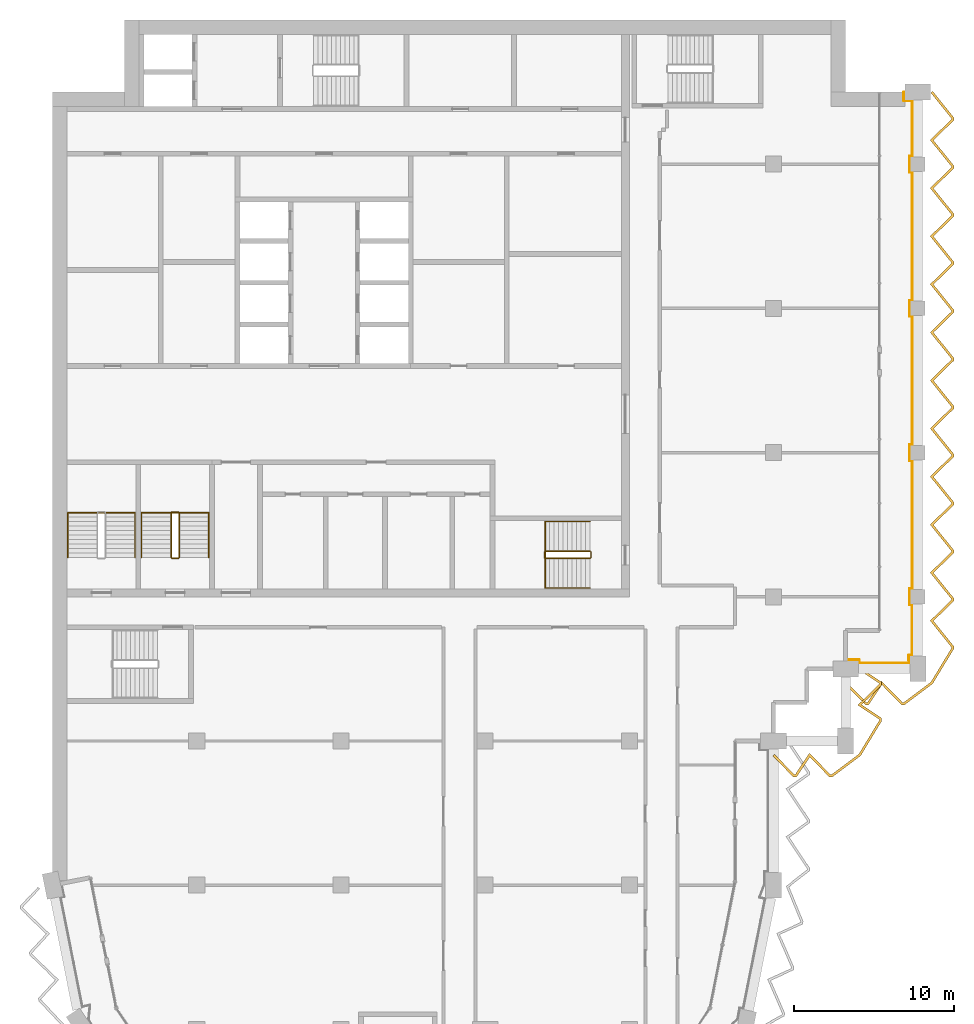
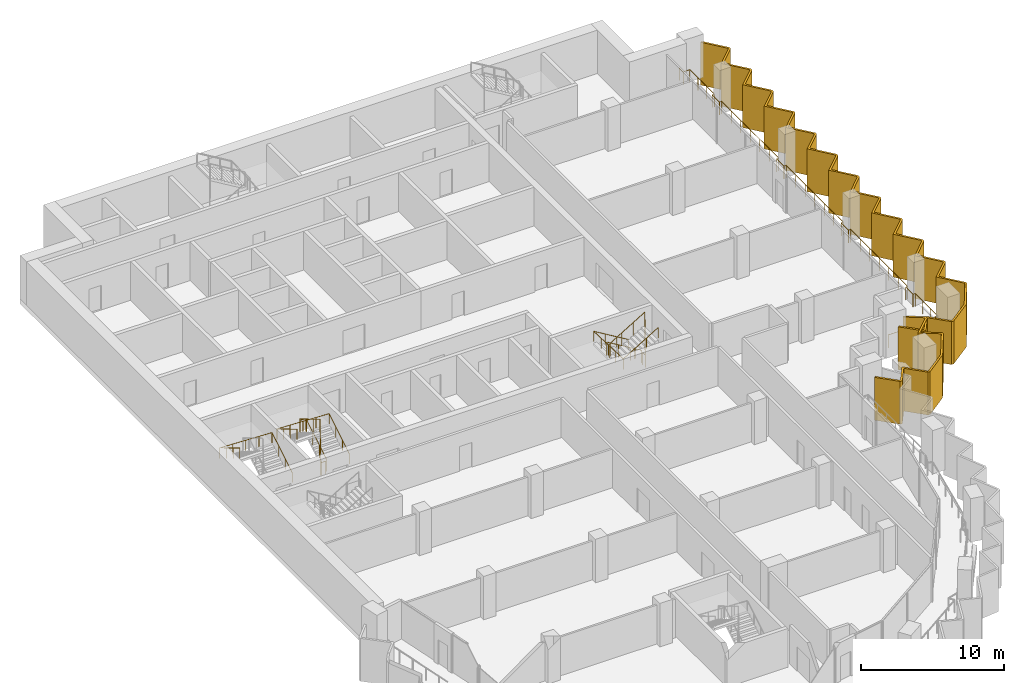
# One storey, part 15 of 16: 6 railings, 2 shading devices.
"""IFC4 building model written with IfcOpenShell, lengths in metres."""

from ifc_helpers import new_model, si_unit, direction, frame, origin, origin_2d, place, context, subcontext, project, spatial, polyline, circle, outline, extrude, material, layer, layer_set, type_object, element, save


model = new_model("IFC4")

# Units and contexts
model_context = context("Model", 3, precision=1e-05, world=origin(), true_north=direction((0.0, 1.0)))
body_context = subcontext(model_context, "Body", "Model", "MODEL_VIEW")
ifc_project = project(units=[si_unit("LENGTHUNIT", "METRE"), si_unit("AREAUNIT", "SQUARE_METRE"), si_unit("VOLUMEUNIT", "CUBIC_METRE"), si_unit("PLANEANGLEUNIT", "RADIAN"), si_unit("MASSUNIT", "GRAM", prefix="KILO")], contexts=[model_context])

# Site, building, storey
site_placement = place(None, origin())
site = spatial("IfcSite", under=ifc_project, at=site_placement, CompositionType="ELEMENT")
building_placement = place(site_placement, origin())
building = spatial("IfcBuilding", under=site, at=building_placement, Name="Hunhe Ridgeline Campus", CompositionType="ELEMENT")
storey_placement = place(building_placement, frame((0.0, 0.0, 235.5)))
storey = spatial("IfcBuildingStorey", under=building, at=storey_placement, Name="L60", CompositionType="ELEMENT", Elevation=235.5)

# Railing
ifc_material_1 = material(Name="Steel Q355", Category="steel")
railing_type_1 = type_object("IfcRailingType", Name="Loggia guard 1100 Steel Q355", PredefinedType="GUARDRAIL", material=ifc_material_1)
railing_1_placement = place(storey_placement, frame((49.5, 59.070068359375, 0.0)))
element("IfcRailing", 1, at=railing_1_placement, inside=storey, type_object=railing_type_1, Name="Loggia guard 2", PredefinedType="GUARDRAIL", context=body_context, shape_type="SweptSolid", body=[
    extrude(circle(Radius=0.02392578125, at=origin_2d()), frame((0.0, 0.0, 1.076171875), z_axis=(1.0, 0.0, 0.0), x_axis=(0.0, 1.0, 0.0)), (0.0, 0.0, 1.0), 0.85009765625),
    extrude(circle(Radius=0.02392578125, at=origin_2d()), frame((0.85009765625, 0.0, 1.076171875), z_axis=(0.0, -1.0, 0.0), x_axis=(1.0, 0.0, 0.0)), (0.0, 0.0, 1.0), 0.219970703125),
    extrude(circle(Radius=0.02392578125, at=origin_2d()), frame((0.85009765625, -0.219970703125, 1.076171875), z_axis=(1.0, 0.0, 0.0), x_axis=(0.0, 1.0, 0.0)), (0.0, 0.0, 1.0), 3.099853515625),
    extrude(circle(Radius=0.02392578125, at=origin_2d()), frame((3.949951171875, -0.219970703125, 1.076171875), z_axis=(0.0, 1.0, 0.0), x_axis=(-1.0, 0.0, 0.0)), (0.0, 0.0, 1.0), 0.52001953125),
    extrude(circle(Radius=0.02392578125, at=origin_2d()), frame((3.949951171875, 0.300048828125, 1.076171875), z_axis=(-0.066572895244, -0.99778156408, 0.0), x_axis=(0.99778156408, -0.066572895244, 0.0)), (0.0, 0.0, 1.0), 0.30078125),
    extrude(circle(Radius=0.02392578125, at=origin_2d()), frame((3.929931640625, 0.0, 1.076171875), z_axis=(0.0, 1.0, 0.0), x_axis=(-1.0, 0.0, 0.0)), (0.0, 0.0, 1.0), 0.280029296875),
    extrude(circle(Radius=0.02392578125, at=origin_2d()), frame((3.929931640625, 0.280029296875, 1.076171875), z_axis=(1.0, 0.0, 0.0), x_axis=(0.0, 1.0, 0.0)), (0.0, 0.0, 1.0), 0.219970703125),
    extrude(circle(Radius=0.02392578125, at=origin_2d()), frame((4.14990234375, 0.280029296875, 1.076171875), z_axis=(0.0, 1.0, 0.0), x_axis=(-1.0, 0.0, 0.0)), (0.0, 0.0, 1.0), 3.14990234375),
    extrude(circle(Radius=0.02392578125, at=origin_2d()), frame((4.14990234375, 3.429931640625, 1.076171875), z_axis=(-1.0, 0.0, 0.0), x_axis=(0.0, -1.0, 0.0)), (0.0, 0.0, 1.0), 0.169921875),
    extrude(circle(Radius=0.02392578125, at=origin_2d()), frame((3.97998046875, 3.429931640625, 1.076171875), z_axis=(0.0, 1.0, 0.0), x_axis=(-1.0, 0.0, 0.0)), (0.0, 0.0, 1.0), 1.0),
    extrude(circle(Radius=0.02392578125, at=origin_2d()), frame((3.97998046875, 4.429931640625, 1.076171875), z_axis=(1.0, 0.0, 0.0), x_axis=(0.0, 1.0, 0.0)), (0.0, 0.0, 1.0), 0.169921875),
    extrude(circle(Radius=0.02392578125, at=origin_2d()), frame((4.14990234375, 4.429931640625, 1.076171875), z_axis=(0.0, 1.0, 0.0), x_axis=(-1.0, 0.0, 0.0)), (0.0, 0.0, 1.0), 8.0),
    extrude(circle(Radius=0.02392578125, at=origin_2d()), frame((4.14990234375, 12.429931640625, 1.076171875), z_axis=(-1.0, 0.0, 0.0), x_axis=(0.0, -1.0, 0.0)), (0.0, 0.0, 1.0), 0.169921875),
    extrude(circle(Radius=0.02392578125, at=origin_2d()), frame((3.97998046875, 12.429931640625, 1.076171875), z_axis=(0.0, 1.0, 0.0), x_axis=(-1.0, 0.0, 0.0)), (0.0, 0.0, 1.0), 1.0),
    extrude(circle(Radius=0.02392578125, at=origin_2d()), frame((3.97998046875, 13.429931640625, 1.076171875), z_axis=(1.0, 0.0, 0.0), x_axis=(0.0, 1.0, 0.0)), (0.0, 0.0, 1.0), 0.169921875),
    extrude(circle(Radius=0.02392578125, at=origin_2d()), frame((4.14990234375, 13.429931640625, 1.076171875), z_axis=(0.0, 1.0, 0.0), x_axis=(-1.0, 0.0, 0.0)), (0.0, 0.0, 1.0), 8.0),
    extrude(circle(Radius=0.02392578125, at=origin_2d()), frame((4.14990234375, 21.429931640625, 1.076171875), z_axis=(-1.0, 0.0, 0.0), x_axis=(0.0, -1.0, 0.0)), (0.0, 0.0, 1.0), 0.169921875),
    extrude(circle(Radius=0.02392578125, at=origin_2d()), frame((3.97998046875, 21.429931640625, 1.076171875), z_axis=(0.0, 1.0, 0.0), x_axis=(-1.0, 0.0, 0.0)), (0.0, 0.0, 1.0), 1.0),
    extrude(circle(Radius=0.02392578125, at=origin_2d()), frame((3.97998046875, 22.429931640625, 1.076171875), z_axis=(1.0, 0.0, 0.0), x_axis=(0.0, 1.0, 0.0)), (0.0, 0.0, 1.0), 0.169921875),
    extrude(circle(Radius=0.02392578125, at=origin_2d()), frame((4.14990234375, 22.429931640625, 1.076171875), z_axis=(0.0, 1.0, 0.0), x_axis=(-1.0, 0.0, 0.0)), (0.0, 0.0, 1.0), 8.0),
    extrude(circle(Radius=0.02392578125, at=origin_2d()), frame((4.14990234375, 30.429931640625, 1.076171875), z_axis=(-1.0, 0.0, 0.0), x_axis=(0.0, -1.0, 0.0)), (0.0, 0.0, 1.0), 0.169921875),
    extrude(circle(Radius=0.02392578125, at=origin_2d()), frame((3.97998046875, 30.429931640625, 1.076171875), z_axis=(0.0, 1.0, 0.0), x_axis=(-1.0, 0.0, 0.0)), (0.0, 0.0, 1.0), 1.0),
    extrude(circle(Radius=0.02392578125, at=origin_2d()), frame((3.97998046875, 31.429931640625, 1.076171875), z_axis=(1.0, 0.0, 0.0), x_axis=(0.0, 1.0, 0.0)), (0.0, 0.0, 1.0), 0.169921875),
    extrude(circle(Radius=0.02392578125, at=origin_2d()), frame((4.14990234375, 31.429931640625, 1.076171875), z_axis=(0.0, 1.0, 0.0), x_axis=(-1.0, 0.0, 0.0)), (0.0, 0.0, 1.0), 3.449951171875),
    extrude(circle(Radius=0.02392578125, at=origin_2d()), frame((4.14990234375, 34.8798828125, 1.076171875), z_axis=(-1.0, 0.0, 0.0), x_axis=(0.0, -1.0, 0.0)), (0.0, 0.0, 1.0), 0.52001953125),
    extrude(circle(Radius=0.02392578125, at=origin_2d()), frame((3.6298828125, 34.8798828125, 1.076171875), z_axis=(0.0, 1.0, 0.0), x_axis=(-1.0, 0.0, 0.0)), (0.0, 0.0, 1.0), 0.550048828125),
    extrude(circle(Radius=0.02099609375, at=origin_2d()), origin(), (0.0, 0.0, 1.0), 1.052001953125),
    extrude(circle(Radius=0.02099609375, at=origin_2d()), frame((0.85009765625, 0.0, 0.0)), (0.0, 0.0, 1.0), 1.052001953125),
    extrude(circle(Radius=0.02099609375, at=origin_2d()), frame((0.85009765625, -0.219970703125, 0.0)), (0.0, 0.0, 1.0), 1.052001953125),
    extrude(circle(Radius=0.02099609375, at=origin_2d()), frame((1.88330078125, -0.219970703125, 0.0)), (0.0, 0.0, 1.0), 1.052001953125),
    extrude(circle(Radius=0.02099609375, at=origin_2d()), frame((2.916748046875, -0.219970703125, 0.0)), (0.0, 0.0, 1.0), 1.052001953125),
    extrude(circle(Radius=0.02099609375, at=origin_2d()), frame((3.949951171875, -0.219970703125, 0.0)), (0.0, 0.0, 1.0), 1.052001953125),
    extrude(circle(Radius=0.02099609375, at=origin_2d()), frame((3.949951171875, 0.300048828125, 0.0)), (0.0, 0.0, 1.0), 1.052001953125),
    extrude(circle(Radius=0.02099609375, at=origin_2d()), frame((3.929931640625, 0.0, 0.0)), (0.0, 0.0, 1.0), 1.052001953125),
    extrude(circle(Radius=0.02099609375, at=origin_2d()), frame((3.929931640625, 0.280029296875, 0.0)), (0.0, 0.0, 1.0), 1.052001953125),
    extrude(circle(Radius=0.02099609375, at=origin_2d()), frame((4.14990234375, 0.280029296875, 0.0)), (0.0, 0.0, 1.0), 1.052001953125),
    extrude(circle(Radius=0.02099609375, at=origin_2d()), frame((4.14990234375, 1.330078125, 0.0)), (0.0, 0.0, 1.0), 1.052001953125),
    extrude(circle(Radius=0.02099609375, at=origin_2d()), frame((4.14990234375, 2.3798828125, 0.0)), (0.0, 0.0, 1.0), 1.052001953125),
    extrude(circle(Radius=0.02099609375, at=origin_2d()), frame((4.14990234375, 3.429931640625, 0.0)), (0.0, 0.0, 1.0), 1.052001953125),
    extrude(circle(Radius=0.02099609375, at=origin_2d()), frame((3.97998046875, 3.429931640625, 0.0)), (0.0, 0.0, 1.0), 1.052001953125),
    extrude(circle(Radius=0.02099609375, at=origin_2d()), frame((3.97998046875, 4.429931640625, 0.0)), (0.0, 0.0, 1.0), 1.052001953125),
    extrude(circle(Radius=0.02099609375, at=origin_2d()), frame((4.14990234375, 4.429931640625, 0.0)), (0.0, 0.0, 1.0), 1.052001953125),
    extrude(circle(Radius=0.02099609375, at=origin_2d()), frame((4.14990234375, 5.76318359375, 0.0)), (0.0, 0.0, 1.0), 1.052001953125),
    extrude(circle(Radius=0.02099609375, at=origin_2d()), frame((4.14990234375, 7.0966796875, 0.0)), (0.0, 0.0, 1.0), 1.052001953125),
    extrude(circle(Radius=0.02099609375, at=origin_2d()), frame((4.14990234375, 8.429931640625, 0.0)), (0.0, 0.0, 1.0), 1.052001953125),
    extrude(circle(Radius=0.02099609375, at=origin_2d()), frame((4.14990234375, 9.76318359375, 0.0)), (0.0, 0.0, 1.0), 1.052001953125),
    extrude(circle(Radius=0.02099609375, at=origin_2d()), frame((4.14990234375, 11.0966796875, 0.0)), (0.0, 0.0, 1.0), 1.052001953125),
    extrude(circle(Radius=0.02099609375, at=origin_2d()), frame((4.14990234375, 12.429931640625, 0.0)), (0.0, 0.0, 1.0), 1.052001953125),
    extrude(circle(Radius=0.02099609375, at=origin_2d()), frame((3.97998046875, 12.429931640625, 0.0)), (0.0, 0.0, 1.0), 1.052001953125),
    extrude(circle(Radius=0.02099609375, at=origin_2d()), frame((3.97998046875, 13.429931640625, 0.0)), (0.0, 0.0, 1.0), 1.052001953125),
    extrude(circle(Radius=0.02099609375, at=origin_2d()), frame((4.14990234375, 13.429931640625, 0.0)), (0.0, 0.0, 1.0), 1.052001953125),
    extrude(circle(Radius=0.02099609375, at=origin_2d()), frame((4.14990234375, 14.76318359375, 0.0)), (0.0, 0.0, 1.0), 1.052001953125),
    extrude(circle(Radius=0.02099609375, at=origin_2d()), frame((4.14990234375, 16.0966796875, 0.0)), (0.0, 0.0, 1.0), 1.052001953125),
    extrude(circle(Radius=0.02099609375, at=origin_2d()), frame((4.14990234375, 17.429931640625, 0.0)), (0.0, 0.0, 1.0), 1.052001953125),
    extrude(circle(Radius=0.02099609375, at=origin_2d()), frame((4.14990234375, 18.76318359375, 0.0)), (0.0, 0.0, 1.0), 1.052001953125),
    extrude(circle(Radius=0.02099609375, at=origin_2d()), frame((4.14990234375, 20.0966796875, 0.0)), (0.0, 0.0, 1.0), 1.052001953125),
    extrude(circle(Radius=0.02099609375, at=origin_2d()), frame((4.14990234375, 21.429931640625, 0.0)), (0.0, 0.0, 1.0), 1.052001953125),
    extrude(circle(Radius=0.02099609375, at=origin_2d()), frame((3.97998046875, 21.429931640625, 0.0)), (0.0, 0.0, 1.0), 1.052001953125),
    extrude(circle(Radius=0.02099609375, at=origin_2d()), frame((3.97998046875, 22.429931640625, 0.0)), (0.0, 0.0, 1.0), 1.052001953125),
    extrude(circle(Radius=0.02099609375, at=origin_2d()), frame((4.14990234375, 22.429931640625, 0.0)), (0.0, 0.0, 1.0), 1.052001953125),
    extrude(circle(Radius=0.02099609375, at=origin_2d()), frame((4.14990234375, 23.76318359375, 0.0)), (0.0, 0.0, 1.0), 1.052001953125),
    extrude(circle(Radius=0.02099609375, at=origin_2d()), frame((4.14990234375, 25.0966796875, 0.0)), (0.0, 0.0, 1.0), 1.052001953125),
    extrude(circle(Radius=0.02099609375, at=origin_2d()), frame((4.14990234375, 26.429931640625, 0.0)), (0.0, 0.0, 1.0), 1.052001953125),
    extrude(circle(Radius=0.02099609375, at=origin_2d()), frame((4.14990234375, 27.76318359375, 0.0)), (0.0, 0.0, 1.0), 1.052001953125),
    extrude(circle(Radius=0.02099609375, at=origin_2d()), frame((4.14990234375, 29.0966796875, 0.0)), (0.0, 0.0, 1.0), 1.052001953125),
    extrude(circle(Radius=0.02099609375, at=origin_2d()), frame((4.14990234375, 30.429931640625, 0.0)), (0.0, 0.0, 1.0), 1.052001953125),
    extrude(circle(Radius=0.02099609375, at=origin_2d()), frame((3.97998046875, 30.429931640625, 0.0)), (0.0, 0.0, 1.0), 1.052001953125),
    extrude(circle(Radius=0.02099609375, at=origin_2d()), frame((3.97998046875, 31.429931640625, 0.0)), (0.0, 0.0, 1.0), 1.052001953125),
    extrude(circle(Radius=0.02099609375, at=origin_2d()), frame((4.14990234375, 31.429931640625, 0.0)), (0.0, 0.0, 1.0), 1.052001953125),
    extrude(circle(Radius=0.02099609375, at=origin_2d()), frame((4.14990234375, 32.579833984375, 0.0)), (0.0, 0.0, 1.0), 1.052001953125),
    extrude(circle(Radius=0.02099609375, at=origin_2d()), frame((4.14990234375, 33.72998046875, 0.0)), (0.0, 0.0, 1.0), 1.052001953125),
    extrude(circle(Radius=0.02099609375, at=origin_2d()), frame((4.14990234375, 34.8798828125, 0.0)), (0.0, 0.0, 1.0), 1.052001953125),
    extrude(circle(Radius=0.02099609375, at=origin_2d()), frame((3.6298828125, 34.8798828125, 0.0)), (0.0, 0.0, 1.0), 1.052001953125),
    extrude(circle(Radius=0.02099609375, at=origin_2d()), frame((3.6298828125, 35.429931640625, 0.0)), (0.0, 0.0, 1.0), 1.052001953125),
])

# Shading devices
ifc_material_2 = material(Name="Concrete C50", Category="concrete")
ifc_layer = layer(ifc_material_2, 0.14990234375)
ifc_layer_set = layer_set([ifc_layer], Name="Sawtooth concrete fin 150 Concrete C50")
shading_device_type = type_object("IfcShadingDeviceType", Name="Sawtooth concrete fin 150 Concrete C50", PredefinedType="USERDEFINED", material=ifc_layer_set)
shading_device_1_placement = place(storey_placement, frame((0.0, 0.0, -0.949951171875)))
element("IfcShadingDevice", 2, at=shading_device_1_placement, inside=storey, type_object=shading_device_type, Name="Concrete fin screen 2", ObjectType="FIN", PredefinedType="USERDEFINED", context=body_context, shape_type="SweptSolid", body=[
    extrude(outline(polyline([(45.0537109375, 53.17724609375), (44.9462890625, 53.07275390625), (46.23583984375, 51.75), (46.427734375, 51.75), (47.26123046875, 53.006103515625), (48.48583984375, 51.75), (48.662353515625, 51.75), (50.431640625, 53.07373046875), (51.75, 55.24658203125), (51.75, 55.427734375), (50.493896484375, 56.26123046875), (51.75, 57.48583984375), (51.75, 57.677734375), (50.41650390625, 58.5625), (50.33349609375, 58.4375), (51.60009765625, 57.59716796875), (51.60009765625, 57.549072265625), (50.256103515625, 56.23876953125), (51.60009765625, 55.34716796875), (51.60009765625, 55.28857421875), (50.318359375, 53.17626953125), (48.612548828125, 51.89990234375), (48.549072265625, 51.89990234375), (47.23876953125, 53.243896484375), (46.34716796875, 51.89990234375), (46.299072265625, 51.89990234375), (45.0537109375, 53.17724609375)])), origin(), (0.0, 0.0, 1.0), 3.64990234375),
])
shading_device_2_placement = place(storey_placement, frame((0.0, 0.0, -0.949951171875)))
element("IfcShadingDevice", 3, at=shading_device_2_placement, inside=storey, type_object=shading_device_type, Name="Concrete fin screen 3", ObjectType="FIN", PredefinedType="USERDEFINED", context=body_context, shape_type="SweptSolid", body=[
    extrude(outline(polyline([(49.5537109375, 57.67724609375), (49.4462890625, 57.57275390625), (50.73583984375, 56.25), (50.927734375, 56.25), (51.76123046875, 57.506103515625), (52.98583984375, 56.25), (53.162353515625, 56.25), (54.931640625, 57.57373046875), (56.25, 59.74658203125), (56.25, 59.9140625), (54.976318359375, 61.493896484375), (56.25, 62.73583984375), (56.25, 62.9140625), (54.976318359375, 64.493896484375), (56.25, 65.73583984375), (56.25, 65.9140625), (54.976318359375, 67.493896484375), (56.25, 68.73583984375), (56.25, 68.9140625), (54.976318359375, 70.493896484375), (56.25, 71.73583984375), (56.25, 71.9140625), (54.976318359375, 73.493896484375), (56.25, 74.73583984375), (56.25, 74.9140625), (54.976318359375, 76.493896484375), (56.25, 77.73583984375), (56.25, 77.9140625), (54.976318359375, 79.493896484375), (56.25, 80.73583984375), (56.25, 80.9140625), (54.976318359375, 82.493896484375), (56.25, 83.73583984375), (56.25, 83.9140625), (54.976318359375, 85.493896484375), (56.25, 86.73583984375), (56.25, 86.9140625), (54.976318359375, 88.493896484375), (56.25, 89.73583984375), (56.25, 89.9140625), (54.976318359375, 91.493896484375), (56.25, 92.73583984375), (56.25, 92.9140625), (54.933349609375, 94.547119140625), (54.816650390625, 94.452880859375), (56.10009765625, 92.861083984375), (56.10009765625, 92.799072265625), (54.773681640625, 91.506103515625), (56.10009765625, 89.861083984375), (56.10009765625, 89.799072265625), (54.773681640625, 88.506103515625), (56.10009765625, 86.861083984375), (56.10009765625, 86.799072265625), (54.773681640625, 85.506103515625), (56.10009765625, 83.861083984375), (56.10009765625, 83.799072265625), (54.773681640625, 82.506103515625), (56.10009765625, 80.861083984375), (56.10009765625, 80.799072265625), (54.773681640625, 79.506103515625), (56.10009765625, 77.861083984375), (56.10009765625, 77.799072265625), (54.773681640625, 76.506103515625), (56.10009765625, 74.861083984375), (56.10009765625, 74.799072265625), (54.773681640625, 73.506103515625), (56.10009765625, 71.861083984375), (56.10009765625, 71.799072265625), (54.773681640625, 70.506103515625), (56.10009765625, 68.861083984375), (56.10009765625, 68.799072265625), (54.773681640625, 67.506103515625), (56.10009765625, 65.861083984375), (56.10009765625, 65.799072265625), (54.773681640625, 64.506103515625), (56.10009765625, 62.861083984375), (56.10009765625, 62.799072265625), (54.773681640625, 61.506103515625), (56.10009765625, 59.861083984375), (56.10009765625, 59.78857421875), (54.818359375, 57.67626953125), (53.112548828125, 56.39990234375), (53.049072265625, 56.39990234375), (51.73876953125, 57.743896484375), (50.84716796875, 56.39990234375), (50.799072265625, 56.39990234375), (49.5537109375, 57.67724609375)])), origin(), (0.0, 0.0, 1.0), 3.64990234375),
])

# Railings
ifc_material_3 = material(Name="Stainless steel balustrade", Category="steel")
railing_type_2 = type_object("IfcRailingType", Name="Stair guard 1100 stainless", PredefinedType="GUARDRAIL", material=ifc_material_3)
railing_2_placement = place(storey_placement, frame((33.550048828125, 65.85009765625, 0.168212890625)))
element("IfcRailing", 4, at=railing_2_placement, inside=storey, type_object=railing_type_2, Name="L60 stair S2 guard", PredefinedType="GUARDRAIL", context=body_context, shape_type="SweptSolid", body=[
    extrude(circle(Radius=0.02392578125, at=origin_2d()), frame((0.0, 0.0, 1.076171875), z_axis=(-0.857242210791, 0.0, 0.514913383045), x_axis=(0.0, -1.0, 0.0)), (0.0, 0.0, 1.0), 3.266357421875),
    extrude(circle(Radius=0.02392578125, at=origin_2d()), frame((-2.800048828125, 0.0, 2.7578125), z_axis=(-0.707106781187, -0.707106781187, 0.0), x_axis=(0.707106781187, -0.707106781187, 0.0)), (0.0, 0.0, 1.0), 0.07080078125),
    extrude(circle(Radius=0.02392578125, at=origin_2d()), frame((-2.85009765625, -0.050048828125, 2.7578125), z_axis=(0.0, -1.0, 0.0), x_axis=(1.0, 0.0, 0.0)), (0.0, 0.0, 1.0), 0.35009765625),
    extrude(circle(Radius=0.02392578125, at=origin_2d()), frame((-2.85009765625, -0.400146484375, 2.7578125), z_axis=(0.274582412415, -0.274582412415, 0.921525364591), x_axis=(0.707106781187, 0.707106781187, 0.0)), (0.0, 0.0, 1.0), 0.182373046875),
    extrude(circle(Radius=0.02392578125, at=origin_2d()), frame((-2.800048828125, -0.4501953125, 2.92578125), z_axis=(0.857242210791, 0.0, 0.514913383045), x_axis=(0.0, 1.0, 0.0)), (0.0, 0.0, 1.0), 3.266357421875),
    extrude(circle(Radius=0.02392578125, at=origin_2d()), frame((0.0, -0.4501953125, 4.60791015625), z_axis=(0.013524414389, 0.013524414389, -0.999817073484), x_axis=(-0.707106781187, 0.707106781187, 0.0)), (0.0, 0.0, 1.0), 3.70068359375),
    extrude(circle(Radius=0.02392578125, at=origin_2d()), frame((0.050048828125, -0.400146484375, 0.90771484375), z_axis=(0.0, 1.0, 0.0), x_axis=(-1.0, 0.0, 0.0)), (0.0, 0.0, 1.0), 0.35009765625),
    extrude(circle(Radius=0.02099609375, at=origin_2d()), origin(), (0.0, 0.0, 1.0), 1.052001953125),
    extrude(circle(Radius=0.02099609375, at=origin_2d()), frame((-0.933349609375, 0.0, 0.560546875)), (0.0, 0.0, 1.0), 1.052001953125),
    extrude(circle(Radius=0.02099609375, at=origin_2d()), frame((-1.86669921875, 0.0, 1.121337890625)), (0.0, 0.0, 1.0), 1.052001953125),
    extrude(circle(Radius=0.02099609375, at=origin_2d()), frame((-2.800048828125, 0.0, 1.681884765625)), (0.0, 0.0, 1.0), 1.052001953125),
    extrude(circle(Radius=0.02099609375, at=origin_2d()), frame((-2.85009765625, -0.050048828125, 1.681884765625)), (0.0, 0.0, 1.0), 1.052001953125),
    extrude(circle(Radius=0.02099609375, at=origin_2d()), frame((-2.85009765625, -0.400146484375, 1.681884765625)), (0.0, 0.0, 1.0), 1.052001953125),
    extrude(circle(Radius=0.02099609375, at=origin_2d()), frame((-2.800048828125, -0.4501953125, 1.849853515625)), (0.0, 0.0, 1.0), 1.052001953125),
    extrude(circle(Radius=0.02099609375, at=origin_2d()), frame((-1.86669921875, -0.4501953125, 2.410400390625)), (0.0, 0.0, 1.0), 1.052001953125),
    extrude(circle(Radius=0.02099609375, at=origin_2d()), frame((-0.933349609375, -0.4501953125, 2.97119140625)), (0.0, 0.0, 1.0), 1.052001953125),
    extrude(circle(Radius=0.02099609375, at=origin_2d()), frame((0.0, -0.4501953125, 3.53173828125)), (0.0, 0.0, 1.0), 1.052001953125),
    extrude(circle(Radius=0.02099609375, at=origin_2d()), frame((0.012451171875, -0.437744140625, 2.606689453125)), (0.0, 0.0, 1.0), 1.052001953125),
    extrude(circle(Radius=0.02099609375, at=origin_2d()), frame((0.02490234375, -0.42529296875, 1.681640625)), (0.0, 0.0, 1.0), 1.052001953125),
    extrude(circle(Radius=0.02099609375, at=origin_2d()), frame((0.03759765625, -0.41259765625, 0.7568359375)), (0.0, 0.0, 1.0), 1.052001953125),
    extrude(circle(Radius=0.02099609375, at=origin_2d()), frame((0.050048828125, -0.400146484375, -0.168212890625)), (0.0, 0.0, 1.0), 1.052001953125),
    extrude(circle(Radius=0.02099609375, at=origin_2d()), frame((0.050048828125, -0.050048828125, -0.168212890625)), (0.0, 0.0, 1.0), 1.052001953125),
])
railing_3_placement = place(storey_placement, frame((7.89990234375, 65.449951171875, 0.168212890625)))
element("IfcRailing", 5, at=railing_3_placement, inside=storey, type_object=railing_type_2, Name="L60 stair S4 guard", PredefinedType="GUARDRAIL", context=body_context, shape_type="SweptSolid", body=[
    extrude(circle(Radius=0.02392578125, at=origin_2d()), frame((0.0, 0.0, 1.076171875), z_axis=(0.0, 0.857242210791, 0.514913383045), x_axis=(-1.0, 0.0, 0.0)), (0.0, 0.0, 1.0), 3.266357421875),
    extrude(circle(Radius=0.02392578125, at=origin_2d()), frame((0.0, 2.800048828125, 2.7578125), z_axis=(-0.705375805398, 0.708833529934, 0.0), x_axis=(-0.708833529934, -0.705375805398, 0.0)), (0.0, 0.0, 1.0), 0.070556640625),
    extrude(circle(Radius=0.02392578125, at=origin_2d()), frame((-0.0498046875, 2.85009765625, 2.7578125), z_axis=(-1.0, 0.0, 0.0), x_axis=(0.0, -1.0, 0.0)), (0.0, 0.0, 1.0), 0.400146484375),
    extrude(circle(Radius=0.02392578125, at=origin_2d()), frame((-0.449951171875, 2.85009765625, 2.7578125), z_axis=(-0.274582412415, -0.274582412415, 0.921525364591), x_axis=(0.707106781187, -0.707106781187, 0.0)), (0.0, 0.0, 1.0), 0.182373046875),
    extrude(circle(Radius=0.02392578125, at=origin_2d()), frame((-0.5, 2.800048828125, 2.92578125), z_axis=(0.0, -0.857242210791, 0.514913383045), x_axis=(1.0, 0.0, 0.0)), (0.0, 0.0, 1.0), 3.266357421875),
    extrude(circle(Radius=0.02392578125, at=origin_2d()), frame((-0.5, 0.0, 4.60791015625), z_axis=(0.013524414389, -0.013524414389, -0.999817073484), x_axis=(0.707106781187, 0.707106781187, 0.0)), (0.0, 0.0, 1.0), 3.70068359375),
    extrude(circle(Radius=0.02392578125, at=origin_2d()), frame((-0.449951171875, -0.050048828125, 0.90771484375), z_axis=(1.0, 0.0, 0.0), x_axis=(0.0, 1.0, 0.0)), (0.0, 0.0, 1.0), 0.400146484375),
    extrude(circle(Radius=0.02099609375, at=origin_2d()), origin(), (0.0, 0.0, 1.0), 1.052001953125),
    extrude(circle(Radius=0.02099609375, at=origin_2d()), frame((0.0, 0.933349609375, 0.560546875)), (0.0, 0.0, 1.0), 1.052001953125),
    extrude(circle(Radius=0.02099609375, at=origin_2d()), frame((0.0, 1.86669921875, 1.121337890625)), (0.0, 0.0, 1.0), 1.052001953125),
    extrude(circle(Radius=0.02099609375, at=origin_2d()), frame((0.0, 2.800048828125, 1.681884765625)), (0.0, 0.0, 1.0), 1.052001953125),
    extrude(circle(Radius=0.02099609375, at=origin_2d()), frame((-0.0498046875, 2.85009765625, 1.681884765625)), (0.0, 0.0, 1.0), 1.052001953125),
    extrude(circle(Radius=0.02099609375, at=origin_2d()), frame((-0.449951171875, 2.85009765625, 1.681884765625)), (0.0, 0.0, 1.0), 1.052001953125),
    extrude(circle(Radius=0.02099609375, at=origin_2d()), frame((-0.5, 2.800048828125, 1.849853515625)), (0.0, 0.0, 1.0), 1.052001953125),
    extrude(circle(Radius=0.02099609375, at=origin_2d()), frame((-0.5, 1.86669921875, 2.410400390625)), (0.0, 0.0, 1.0), 1.052001953125),
    extrude(circle(Radius=0.02099609375, at=origin_2d()), frame((-0.5, 0.933349609375, 2.97119140625)), (0.0, 0.0, 1.0), 1.052001953125),
    extrude(circle(Radius=0.02099609375, at=origin_2d()), frame((-0.5, 0.0, 3.53173828125)), (0.0, 0.0, 1.0), 1.052001953125),
    extrude(circle(Radius=0.02099609375, at=origin_2d()), frame((-0.487548828125, -0.012451171875, 2.606689453125)), (0.0, 0.0, 1.0), 1.052001953125),
    extrude(circle(Radius=0.02099609375, at=origin_2d()), frame((-0.47509765625, -0.02490234375, 1.681640625)), (0.0, 0.0, 1.0), 1.052001953125),
    extrude(circle(Radius=0.02099609375, at=origin_2d()), frame((-0.46240234375, -0.03759765625, 0.7568359375)), (0.0, 0.0, 1.0), 1.052001953125),
    extrude(circle(Radius=0.02099609375, at=origin_2d()), frame((-0.449951171875, -0.050048828125, -0.168212890625)), (0.0, 0.0, 1.0), 1.052001953125),
    extrude(circle(Radius=0.02099609375, at=origin_2d()), frame((-0.0498046875, -0.050048828125, -0.168212890625)), (0.0, 0.0, 1.0), 1.052001953125),
])
ifc_material_4 = material(Name="Stainless steel handrail", Category="steel")
railing_type_3 = type_object("IfcRailingType", Name="Stair handrail 900 stainless", PredefinedType="HANDRAIL", material=ifc_material_4)
railing_4_placement = place(storey_placement, frame((33.550048828125, 67.699951171875, 0.168212890625)))
element("IfcRailing", 6, at=railing_4_placement, inside=storey, type_object=railing_type_3, Name="L60 stair S2 handrail", PredefinedType="HANDRAIL", context=body_context, shape_type="SweptSolid", body=[
    extrude(circle(Radius=0.02392578125, at=origin_2d()), frame((0.0, 0.0, 0.8759765625), z_axis=(-0.857242210791, 0.0, 0.514913383045), x_axis=(0.0, -1.0, 0.0)), (0.0, 0.0, 1.0), 3.266357421875),
    extrude(circle(Radius=0.02392578125, at=origin_2d()), frame((-2.800048828125, 0.0, 2.5576171875), z_axis=(0.0, -0.999181878101, 0.040442236271), x_axis=(1.0, 0.0, 0.0)), (0.0, 0.0, 1.0), 4.1533203125),
    extrude(circle(Radius=0.02392578125, at=origin_2d()), frame((-2.800048828125, -4.14990234375, 2.7255859375), z_axis=(0.857242210791, 0.0, 0.514913383045), x_axis=(0.0, 1.0, 0.0)), (0.0, 0.0, 1.0), 3.266357421875),
    extrude(circle(Radius=0.02099609375, at=origin_2d()), origin(), (0.0, 0.0, 1.0), 0.851806640625),
    extrude(circle(Radius=0.02099609375, at=origin_2d()), frame((-0.933349609375, 0.0, 0.560546875)), (0.0, 0.0, 1.0), 0.851806640625),
    extrude(circle(Radius=0.02099609375, at=origin_2d()), frame((-1.86669921875, 0.0, 1.121337890625)), (0.0, 0.0, 1.0), 0.851806640625),
    extrude(circle(Radius=0.02099609375, at=origin_2d()), frame((-2.800048828125, 0.0, 1.681884765625)), (0.0, 0.0, 1.0), 0.851806640625),
    extrude(circle(Radius=0.02099609375, at=origin_2d()), frame((-2.800048828125, -1.03759765625, 1.723876953125)), (0.0, 0.0, 1.0), 0.851806640625),
    extrude(circle(Radius=0.02099609375, at=origin_2d()), frame((-2.800048828125, -2.074951171875, 1.765869140625)), (0.0, 0.0, 1.0), 0.851806640625),
    extrude(circle(Radius=0.02099609375, at=origin_2d()), frame((-2.800048828125, -3.1123046875, 1.807861328125)), (0.0, 0.0, 1.0), 0.851806640625),
    extrude(circle(Radius=0.02099609375, at=origin_2d()), frame((-2.800048828125, -4.14990234375, 1.849853515625)), (0.0, 0.0, 1.0), 0.851806640625),
    extrude(circle(Radius=0.02099609375, at=origin_2d()), frame((-1.86669921875, -4.14990234375, 2.410400390625)), (0.0, 0.0, 1.0), 0.851806640625),
    extrude(circle(Radius=0.02099609375, at=origin_2d()), frame((-0.933349609375, -4.14990234375, 2.97119140625)), (0.0, 0.0, 1.0), 0.851806640625),
    extrude(circle(Radius=0.02099609375, at=origin_2d()), frame((0.0, -4.14990234375, 3.53173828125)), (0.0, 0.0, 1.0), 0.851806640625),
])
railing_5_placement = place(storey_placement, frame((5.14990234375, 65.449951171875, 0.168212890625)))
element("IfcRailing", 7, at=railing_5_placement, inside=storey, type_object=railing_type_3, Name="L60 stair S3 handrail", PredefinedType="HANDRAIL", context=body_context, shape_type="SweptSolid", body=[
    extrude(circle(Radius=0.02392578125, at=origin_2d()), frame((0.0, 0.0, 0.8759765625), z_axis=(0.0, 0.857242210791, 0.514913383045), x_axis=(-1.0, 0.0, 0.0)), (0.0, 0.0, 1.0), 3.266357421875),
    extrude(circle(Radius=0.02392578125, at=origin_2d()), frame((0.0, 2.800048828125, 2.5576171875), z_axis=(-0.99920123705, 0.0, 0.039961079526), x_axis=(0.0, -1.0, 0.0)), (0.0, 0.0, 1.0), 4.203369140625),
    extrude(circle(Radius=0.02392578125, at=origin_2d()), frame((-4.199951171875, 2.800048828125, 2.7255859375), z_axis=(0.0, -0.857242210791, 0.514913383045), x_axis=(1.0, 0.0, 0.0)), (0.0, 0.0, 1.0), 3.266357421875),
    extrude(circle(Radius=0.02099609375, at=origin_2d()), origin(), (0.0, 0.0, 1.0), 0.851806640625),
    extrude(circle(Radius=0.02099609375, at=origin_2d()), frame((0.0, 0.933349609375, 0.560546875)), (0.0, 0.0, 1.0), 0.851806640625),
    extrude(circle(Radius=0.02099609375, at=origin_2d()), frame((0.0, 1.86669921875, 1.121337890625)), (0.0, 0.0, 1.0), 0.851806640625),
    extrude(circle(Radius=0.02099609375, at=origin_2d()), frame((0.0, 2.800048828125, 1.681884765625)), (0.0, 0.0, 1.0), 0.851806640625),
    extrude(circle(Radius=0.02099609375, at=origin_2d()), frame((-1.050048828125, 2.800048828125, 1.723876953125)), (0.0, 0.0, 1.0), 0.851806640625),
    extrude(circle(Radius=0.02099609375, at=origin_2d()), frame((-2.10009765625, 2.800048828125, 1.765869140625)), (0.0, 0.0, 1.0), 0.851806640625),
    extrude(circle(Radius=0.02099609375, at=origin_2d()), frame((-3.14990234375, 2.800048828125, 1.807861328125)), (0.0, 0.0, 1.0), 0.851806640625),
    extrude(circle(Radius=0.02099609375, at=origin_2d()), frame((-4.199951171875, 2.800048828125, 1.849853515625)), (0.0, 0.0, 1.0), 0.851806640625),
    extrude(circle(Radius=0.02099609375, at=origin_2d()), frame((-4.199951171875, 1.86669921875, 2.410400390625)), (0.0, 0.0, 1.0), 0.851806640625),
    extrude(circle(Radius=0.02099609375, at=origin_2d()), frame((-4.199951171875, 0.933349609375, 2.97119140625)), (0.0, 0.0, 1.0), 0.851806640625),
    extrude(circle(Radius=0.02099609375, at=origin_2d()), frame((-4.199951171875, 0.0, 3.53173828125)), (0.0, 0.0, 1.0), 0.851806640625),
])
railing_6_placement = place(storey_placement, frame((9.75, 65.449951171875, 0.168212890625)))
element("IfcRailing", 8, at=railing_6_placement, inside=storey, type_object=railing_type_3, Name="L60 stair S4 handrail", PredefinedType="HANDRAIL", context=body_context, shape_type="SweptSolid", body=[
    extrude(circle(Radius=0.02392578125, at=origin_2d()), frame((0.0, 0.0, 0.8759765625), z_axis=(0.0, 0.857242210791, 0.514913383045), x_axis=(-1.0, 0.0, 0.0)), (0.0, 0.0, 1.0), 3.266357421875),
    extrude(circle(Radius=0.02392578125, at=origin_2d()), frame((0.0, 2.800048828125, 2.5576171875), z_axis=(-0.99920123705, 0.0, 0.039961079526), x_axis=(0.0, -1.0, 0.0)), (0.0, 0.0, 1.0), 4.203369140625),
    extrude(circle(Radius=0.02392578125, at=origin_2d()), frame((-4.199951171875, 2.800048828125, 2.7255859375), z_axis=(0.0, -0.857242210791, 0.514913383045), x_axis=(1.0, 0.0, 0.0)), (0.0, 0.0, 1.0), 3.266357421875),
    extrude(circle(Radius=0.02099609375, at=origin_2d()), origin(), (0.0, 0.0, 1.0), 0.851806640625),
    extrude(circle(Radius=0.02099609375, at=origin_2d()), frame((0.0, 0.933349609375, 0.560546875)), (0.0, 0.0, 1.0), 0.851806640625),
    extrude(circle(Radius=0.02099609375, at=origin_2d()), frame((0.0, 1.86669921875, 1.121337890625)), (0.0, 0.0, 1.0), 0.851806640625),
    extrude(circle(Radius=0.02099609375, at=origin_2d()), frame((0.0, 2.800048828125, 1.681884765625)), (0.0, 0.0, 1.0), 0.851806640625),
    extrude(circle(Radius=0.02099609375, at=origin_2d()), frame((-1.050048828125, 2.800048828125, 1.723876953125)), (0.0, 0.0, 1.0), 0.851806640625),
    extrude(circle(Radius=0.02099609375, at=origin_2d()), frame((-2.10009765625, 2.800048828125, 1.765869140625)), (0.0, 0.0, 1.0), 0.851806640625),
    extrude(circle(Radius=0.02099609375, at=origin_2d()), frame((-3.14990234375, 2.800048828125, 1.807861328125)), (0.0, 0.0, 1.0), 0.851806640625),
    extrude(circle(Radius=0.02099609375, at=origin_2d()), frame((-4.199951171875, 2.800048828125, 1.849853515625)), (0.0, 0.0, 1.0), 0.851806640625),
    extrude(circle(Radius=0.02099609375, at=origin_2d()), frame((-4.199951171875, 1.86669921875, 2.410400390625)), (0.0, 0.0, 1.0), 0.851806640625),
    extrude(circle(Radius=0.02099609375, at=origin_2d()), frame((-4.199951171875, 0.933349609375, 2.97119140625)), (0.0, 0.0, 1.0), 0.851806640625),
    extrude(circle(Radius=0.02099609375, at=origin_2d()), frame((-4.199951171875, 0.0, 3.53173828125)), (0.0, 0.0, 1.0), 0.851806640625),
])

save(model, "model.ifc")
